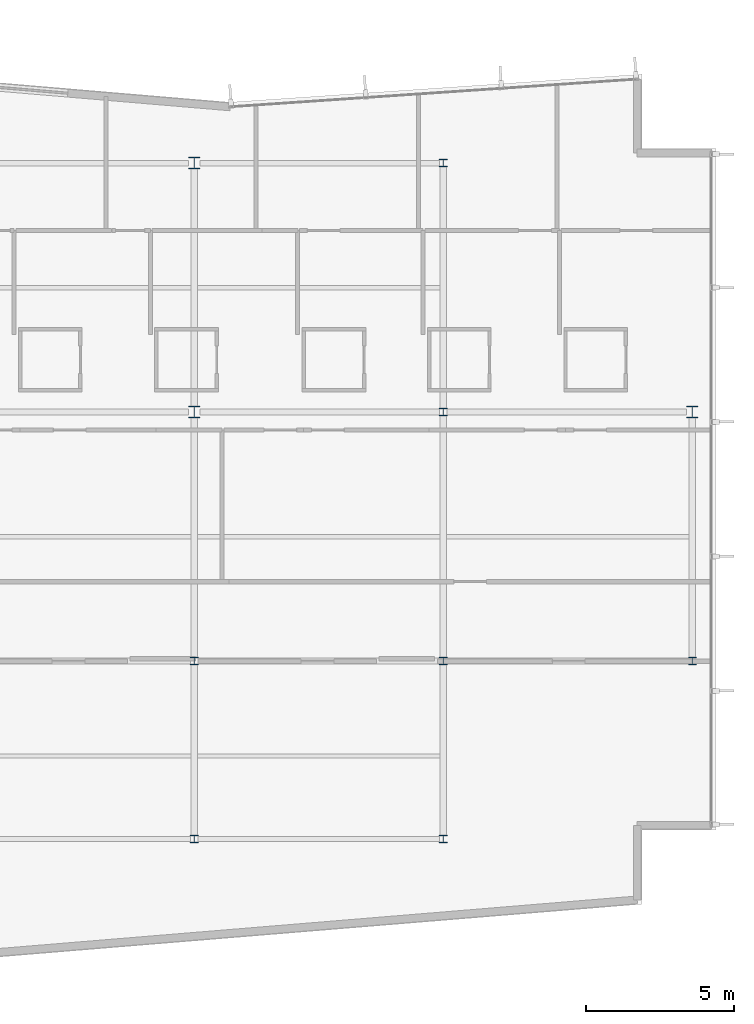
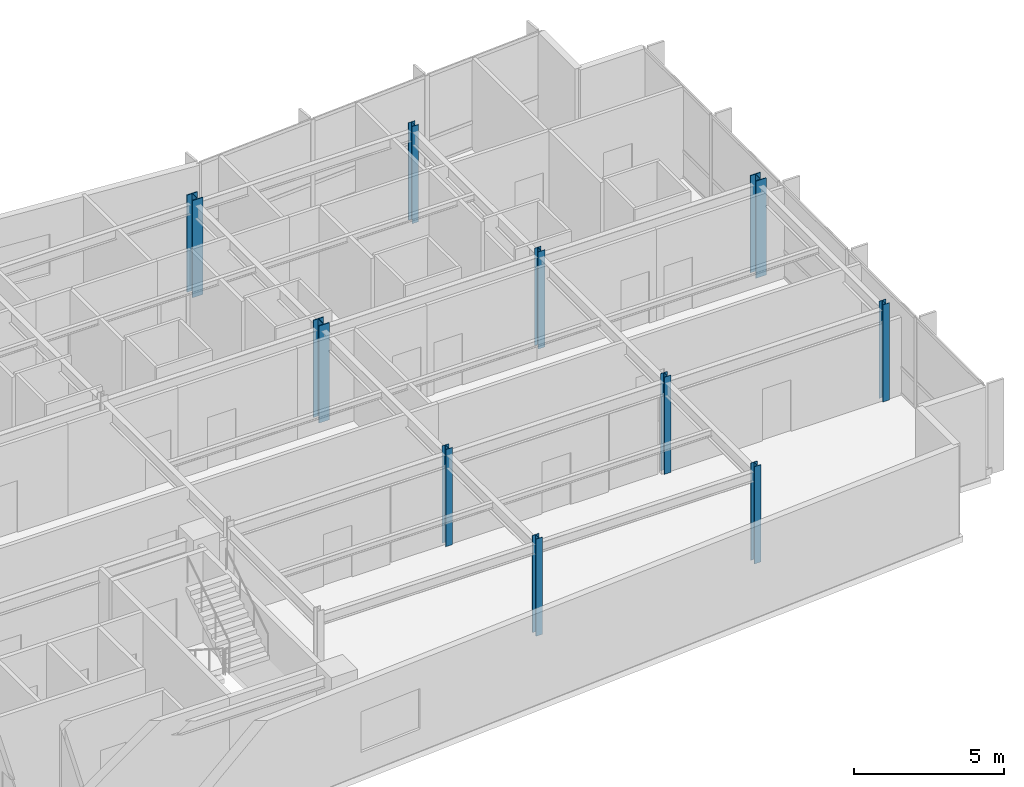
# One storey, part 2 of 17: 10 columns.
"""IFC4 building model written with IfcOpenShell, lengths in metres."""

from ifc_helpers import new_model, si_unit, direction, frame, origin, origin_2d, place, context, subcontext, project, spatial, i_section, extrude, material, material_profile, profile_set, type_object, element, save


model = new_model("IFC4")

# Units and contexts
model_context = context("Model", 3, precision=1e-05, world=origin(), true_north=direction((0.0, 1.0)))
body_context = subcontext(model_context, "Body", "Model", "MODEL_VIEW")
ifc_project = project(units=[si_unit("LENGTHUNIT", "METRE"), si_unit("AREAUNIT", "SQUARE_METRE"), si_unit("VOLUMEUNIT", "CUBIC_METRE"), si_unit("PLANEANGLEUNIT", "RADIAN"), si_unit("MASSUNIT", "GRAM", prefix="KILO")], contexts=[model_context])

# Site, building, storey
site_placement = place(None, origin())
site = spatial("IfcSite", under=ifc_project, at=site_placement, CompositionType="ELEMENT")
building_placement = place(site_placement, origin())
building = spatial("IfcBuilding", under=site, at=building_placement, Name="Varnakote Quay Hospital", CompositionType="ELEMENT")
storey_placement = place(building_placement, frame((0.0, 0.0, 219.75)))
storey = spatial("IfcBuildingStorey", under=building, at=storey_placement, Name="L54", CompositionType="ELEMENT", Elevation=219.75)

# Columns
ifc_material_1 = material(Name="Structural steel AS/NZS 3679.1 Grade 350 L0 (fy 340 MPa)", Category="steel")
ifc_material_profile_1 = material_profile(ifc_material_1, i_section(OverallWidth=0.256103515625, OverallDepth=0.260009765625, WebThickness=0.010498046875, FlangeThickness=0.017333984375, FilletRadius=0.0126953125, at=origin_2d()), Name="250UC89.5")
ifc_profile_set_1 = profile_set([ifc_material_profile_1], Name="Structural steel AS/NZS 3679.1 Grade 350 L0 (fy 340 MPa)")
column_type_1 = type_object("IfcColumnType", Name="COL-STL-250UC89-5", PredefinedType="COLUMN", material=ifc_profile_set_1)
for number, where, z_axis, x_axis, name in (
    (1, (33.60009765625, 6.0, 0.0), (0.0, 0.0, 1.0), (1.0, 0.0, 0.0), "L54 Structural Column C-34-6"),
    (2, (42.0, 6.0, 0.0), (0.0, 0.0, 1.0), (1.0, 0.0, 0.0), "L54 Structural Column C-42-6"),
    (3, (33.60009765625, 12.0, 0.0), (0.0, 0.0, 1.0), (1.0, 0.0, 0.0), "L54 Structural Column C-34-12"),
    (4, (42.0, 12.0, 0.0), (0.0, 0.0, 1.0), (1.0, 0.0, 0.0), "L54 Structural Column C-42-12"),
    (5, (50.39990234375, 12.0, 0.0), (0.0, 0.0, 1.0), (1.0, 0.0, 0.0), "L54 Structural Column C-50-12"),
    (6, (42.0, 20.39990234375, 0.0), (0.0, 0.0, 1.0), (1.0, 0.0, 0.0), "L54 Structural Column C-42-20"),
    (7, (42.0, 28.800048828125, 0.0), (0.0, 0.0, 1.0), (1.0, 0.0, 0.0), "L54 Structural Column C-42-29"),
):
    element("IfcColumn", number, at=place(storey_placement, frame(where, z_axis=z_axis, x_axis=x_axis)), inside=storey, type_object=column_type_1, Name=name, PredefinedType="COLUMN", context=body_context, shape_type="SweptSolid", body=[
        extrude(i_section(OverallWidth=0.256103515625, OverallDepth=0.260009765625, WebThickness=0.010498046875, FlangeThickness=0.017333984375, FilletRadius=0.0126953125, at=origin_2d()), origin(), (0.0, 0.0, 1.0), 3.949951171875),
    ])
ifc_material_2 = material(Name="Structural steel AS/NZS 3678 Grade 350 (fy 340 MPa)", Category="steel")
ifc_material_profile_2 = material_profile(ifc_material_2, i_section(OverallWidth=0.39990234375, OverallDepth=0.404052734375, WebThickness=0.02001953125, FlangeThickness=0.031982421875, at=origin_2d()), Name="400WC270")
ifc_profile_set_2 = profile_set([ifc_material_profile_2], Name="Structural steel AS/NZS 3678 Grade 350 (fy 340 MPa)")
column_type_2 = type_object("IfcColumnType", Name="COL-STL-400WC270", PredefinedType="COLUMN", material=ifc_profile_set_2)
for number, where, z_axis, x_axis, name in (
    (8, (33.60009765625, 20.39990234375, 0.0), (0.0, 0.0, 1.0), (1.0, 0.0, 0.0), "L54 Structural Column C-34-20"),
    (9, (50.39990234375, 20.39990234375, 0.0), (0.0, 0.0, 1.0), (1.0, 0.0, 0.0), "L54 Structural Column C-50-20"),
    (10, (33.60009765625, 28.800048828125, 0.0), (0.0, 0.0, 1.0), (1.0, 0.0, 0.0), "L54 Structural Column C-34-29"),
):
    element("IfcColumn", number, at=place(storey_placement, frame(where, z_axis=z_axis, x_axis=x_axis)), inside=storey, type_object=column_type_2, Name=name, PredefinedType="COLUMN", context=body_context, shape_type="SweptSolid", body=[
        extrude(i_section(OverallWidth=0.39990234375, OverallDepth=0.404052734375, WebThickness=0.02001953125, FlangeThickness=0.031982421875, at=origin_2d()), origin(), (0.0, 0.0, 1.0), 3.949951171875),
    ])

save(model, "model.ifc")
